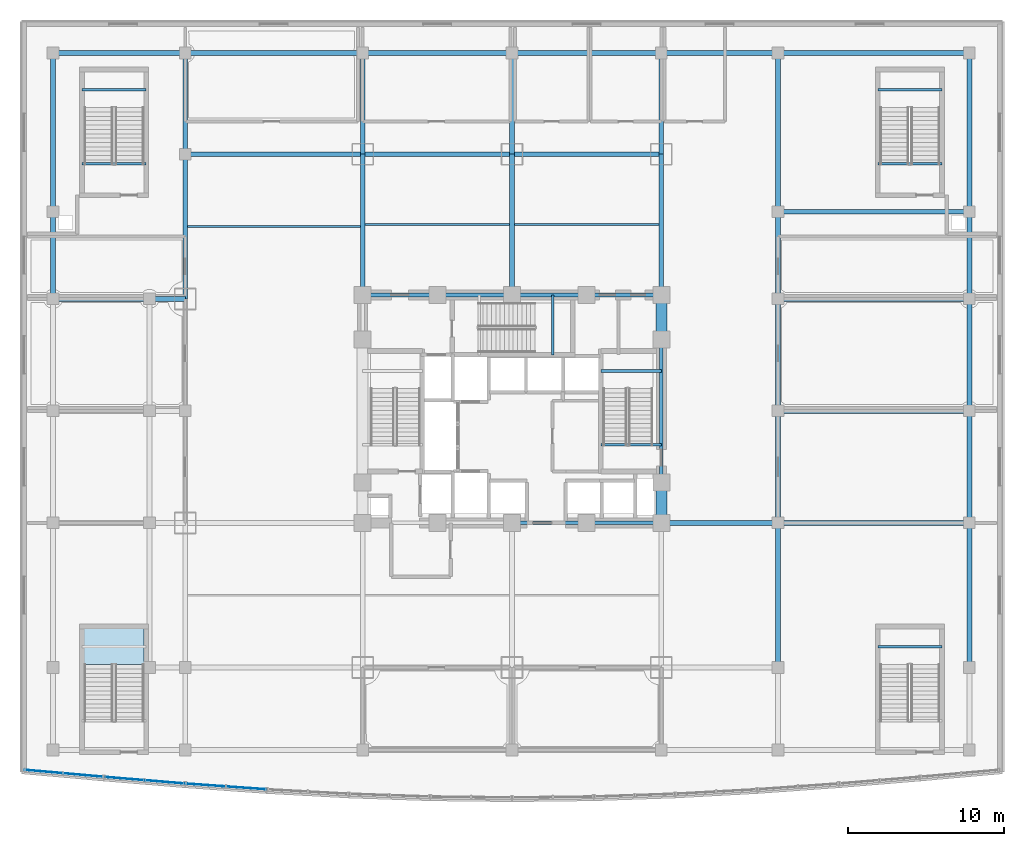
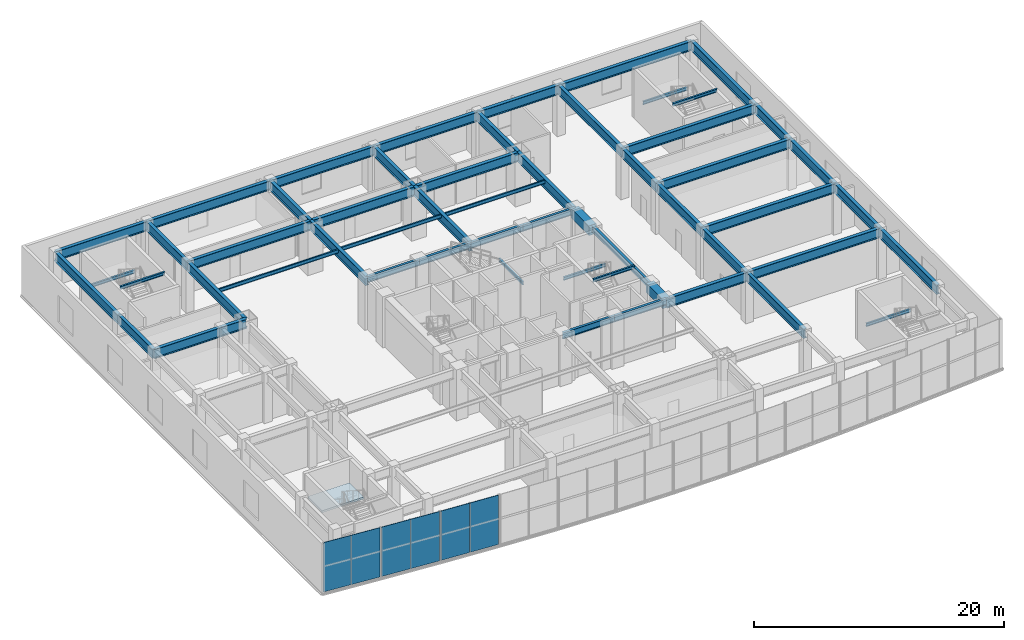
# One storey, part 10 of 24: 56 beams, 6 plates, 1 slab, 4 elements without a shape of their own.
"""IFC4 building model written with IfcOpenShell, lengths in metres."""

from ifc_helpers import new_model, si_unit, direction, frame, origin, origin_2d, place, context, subcontext, project, spatial, polyline, rectangle, i_section, outline, extrude, material, layer, layer_set, material_profile, profile_set, type_object, element, aggregate, save


model = new_model("IFC4")

# Units and contexts
model_context = context("Model", 3, precision=1e-05, world=origin(), true_north=direction((0.0, 1.0)))
body_context = subcontext(model_context, "Body", "Model", "MODEL_VIEW")
ifc_project = project(units=[si_unit("LENGTHUNIT", "METRE"), si_unit("AREAUNIT", "SQUARE_METRE"), si_unit("VOLUMEUNIT", "CUBIC_METRE"), si_unit("PLANEANGLEUNIT", "RADIAN"), si_unit("MASSUNIT", "GRAM", prefix="KILO")], contexts=[model_context])

# Site, building, storey
site_placement = place(None, origin())
site = spatial("IfcSite", under=ifc_project, at=site_placement, CompositionType="ELEMENT")
building_placement = place(site_placement, origin())
building = spatial("IfcBuilding", under=site, at=building_placement, Name="Vantalir Tower", CompositionType="ELEMENT")
storey_placement = place(building_placement, frame((0.0, 0.0, 11.0)))
storey = spatial("IfcBuildingStorey", under=building, at=storey_placement, Name="L02", CompositionType="ELEMENT", Elevation=11.0)

# Beams
ifc_material_1 = material(Name="Concrete C60/75", Category="concrete")
ifc_material_profile_1 = material_profile(ifc_material_1, rectangle(XDim=0.699951171875, YDim=0.949951171875, at=origin_2d()), Name="Concrete C60/75")
ifc_profile_set_1 = profile_set([ifc_material_profile_1], Name="Concrete C60/75")
beam_type_1 = type_object("IfcBeamType", Name="BM-CB-700x950", PredefinedType="USERDEFINED", material=ifc_profile_set_1)
beam_1_placement = place(storey_placement, frame((41.10009765625, 17.800048828125, 4.344970703125), z_axis=(0.0, 1.0, 0.0), x_axis=(-1.0, 0.0, 0.0)))
element("IfcBeam", 1, at=beam_1_placement, inside=storey, type_object=beam_type_1, Name="Level 02 Core Coupling Girder 05", ObjectType="GIRDER", PredefinedType="USERDEFINED", context=body_context, shape_type="SweptSolid", body=[
    extrude(rectangle(XDim=0.699951171875, YDim=0.949951171875, at=origin_2d()), origin(), (0.0, 0.0, 1.0), 2.599853515625),
])
beam_2_placement = place(storey_placement, frame((41.10009765625, 29.60009765625, 4.344970703125), z_axis=(0.0, 1.0, 0.0), x_axis=(-1.0, 0.0, 0.0)))
element("IfcBeam", 2, at=beam_2_placement, inside=storey, type_object=beam_type_1, Name="Level 02 Core Coupling Girder 07", ObjectType="GIRDER", PredefinedType="USERDEFINED", context=body_context, shape_type="SweptSolid", body=[
    extrude(rectangle(XDim=0.699951171875, YDim=0.949951171875, at=origin_2d()), origin(), (0.0, 0.0, 1.0), 2.849853515625),
])
ifc_material_2 = material(Name="Steel S355", Category="steel")
ifc_material_profile_2 = material_profile(ifc_material_2, i_section(OverallWidth=0.166015625, OverallDepth=0.306884765625, WebThickness=0.006591796875, FlangeThickness=0.01171875, at=origin_2d()), Name="Steel S355")
ifc_profile_set_2 = profile_set([ifc_material_profile_2], Name="Steel S355")
beam_type_2 = type_object("IfcBeamType", Name="BM-JS-305x165", PredefinedType="JOIST", material=ifc_profile_set_2)
for number, where, z_axis, x_axis, name in (
    (3, (37.2099609375, 22.8349609375, 4.845947265625), (1.0, 0.0, 0.0), (0.0, 1.0, 0.0), "L03 Stair ST2 Well Nosing Trimmer Beam"),
    (4, (37.2099609375, 27.56494140625, 2.14697265625), (1.0, 0.0, 0.0), (0.0, 1.0, 0.0), "Level 02 Stair ST2 Half-Landing Support Beam"),
):
    element("IfcBeam", number, at=place(storey_placement, frame(where, z_axis=z_axis, x_axis=x_axis)), inside=storey, type_object=beam_type_2, Name=name, PredefinedType="JOIST", context=body_context, shape_type="SweptSolid", body=[
        extrude(i_section(OverallWidth=0.166015625, OverallDepth=0.306884765625, WebThickness=0.006591796875, FlangeThickness=0.01171875, at=origin_2d()), origin(), (0.0, 0.0, 1.0), 3.89013671875),
    ])
beam_3_placement = place(storey_placement, frame((34.114990234375, 28.60009765625, 2.14697265625), z_axis=(0.0, 1.0, 0.0), x_axis=(-1.0, 0.0, 0.0)))
element("IfcBeam", 5, at=beam_3_placement, inside=storey, type_object=beam_type_2, Name="Level 02 Stair ST3 Half-Landing Support Beam", PredefinedType="JOIST", context=body_context, shape_type="SweptSolid", body=[
    extrude(i_section(OverallWidth=0.166015625, OverallDepth=0.306884765625, WebThickness=0.006591796875, FlangeThickness=0.01171875, at=origin_2d()), origin(), (0.0, 0.0, 1.0), 3.849853515625),
])
for number, where, z_axis, x_axis, name in (
    (6, (3.860107421875, 40.89501953125, 4.845947265625), (1.0, 0.0, 0.0), (0.0, 1.0, 0.0), "L03 Stair PST1 Well Nosing Trimmer Beam"),
    (7, (3.860107421875, 45.64501953125, 2.14697265625), (1.0, 0.0, 0.0), (0.0, 1.0, 0.0), "Level 02 Stair PST1 Half-Landing Support Beam"),
    (8, (55.010009765625, 40.89501953125, 4.845947265625), (1.0, 0.0, 0.0), (0.0, 1.0, 0.0), "L03 Stair PST2 Well Nosing Trimmer Beam"),
    (9, (55.010009765625, 45.64501953125, 2.14697265625), (1.0, 0.0, 0.0), (0.0, 1.0, 0.0), "Level 02 Stair PST2 Half-Landing Support Beam"),
    (10, (55.010009765625, 9.844970703125, 2.14697265625), (1.0, 0.0, 0.0), (0.0, 1.0, 0.0), "Level 02 Stair PST4 Half-Landing Support Beam"),
):
    element("IfcBeam", number, at=place(storey_placement, frame(where, z_axis=z_axis, x_axis=x_axis)), inside=storey, type_object=beam_type_2, Name=name, PredefinedType="JOIST", context=body_context, shape_type="SweptSolid", body=[
        extrude(i_section(OverallWidth=0.166015625, OverallDepth=0.306884765625, WebThickness=0.006591796875, FlangeThickness=0.01171875, at=origin_2d()), origin(), (0.0, 0.0, 1.0), 4.1298828125),
    ])
ifc_material_profile_3 = material_profile(ifc_material_2, i_section(OverallWidth=0.1259765625, OverallDepth=0.35302734375, WebThickness=0.006591796875, FlangeThickness=0.0107421875, at=origin_2d()), Name="Steel S355")
ifc_profile_set_3 = profile_set([ifc_material_profile_3], Name="Steel S355")
beam_type_3 = type_object("IfcBeamType", Name="BM-JS-356x127", PredefinedType="JOIST", material=ifc_profile_set_3)
beam_4_placement = place(storey_placement, frame((10.64501953125, 36.85009765625, 4.64404296875), z_axis=(1.0, 0.0, 0.0), x_axis=(0.0, 1.0, 0.0)))
element("IfcBeam", 11, at=beam_4_placement, inside=storey, type_object=beam_type_3, Name="Level 02 Secondary Composite Joist 02", PredefinedType="JOIST", context=body_context, shape_type="SweptSolid", body=[
    extrude(i_section(OverallWidth=0.1259765625, OverallDepth=0.35302734375, WebThickness=0.006591796875, FlangeThickness=0.0107421875, at=origin_2d()), origin(), (0.0, 0.0, 1.0), 11.10986328125),
])
for number, where, z_axis, x_axis, name in (
    (12, (22.044921875, 36.97509765625, 4.64404296875), (1.0, 0.0, 0.0), (0.0, 1.0, 0.0), "Level 02 Secondary Composite Joist 04"),
    (13, (31.64501953125, 36.97509765625, 4.64404296875), (1.0, 0.0, 0.0), (0.0, 1.0, 0.0), "Level 02 Secondary Composite Joist 06"),
):
    element("IfcBeam", number, at=place(storey_placement, frame(where, z_axis=z_axis, x_axis=x_axis)), inside=storey, type_object=beam_type_3, Name=name, PredefinedType="JOIST", context=body_context, shape_type="SweptSolid", body=[
        extrude(i_section(OverallWidth=0.1259765625, OverallDepth=0.35302734375, WebThickness=0.006591796875, FlangeThickness=0.0107421875, at=origin_2d()), origin(), (0.0, 0.0, 1.0), 9.31005859375),
    ])
ifc_material_profile_4 = material_profile(ifc_material_2, i_section(OverallWidth=0.30810546875, OverallDepth=0.927001953125, WebThickness=0.01953125, FlangeThickness=0.031982421875, at=origin_2d()), Name="Steel S355")
ifc_profile_set_4 = profile_set([ifc_material_profile_4], Name="Steel S355")
beam_type_4 = type_object("IfcBeamType", Name="BM-PG-914x305", PredefinedType="USERDEFINED", material=ifc_profile_set_4)
beam_5_placement = place(storey_placement, frame((41.10009765625, 17.800048828125, 4.35595703125), z_axis=(1.0, 0.0, 0.0), x_axis=(0.0, 1.0, 0.0)))
element("IfcBeam", 14, at=beam_5_placement, inside=storey, type_object=beam_type_4, Name="Level 02 Podium E-W Girder 19", ObjectType="GIRDER", PredefinedType="USERDEFINED", context=body_context, shape_type="SweptSolid", body=[
    extrude(i_section(OverallWidth=0.30810546875, OverallDepth=0.927001953125, WebThickness=0.01953125, FlangeThickness=0.031982421875, at=origin_2d()), origin(), (0.0, 0.0, 1.0), 7.5),
])
for number, where, z_axis, x_axis, name in (
    (15, (48.60009765625, 17.800048828125, 4.35595703125), (1.0, 0.0, 0.0), (0.0, 1.0, 0.0), "Level 02 Podium E-W Girder 20"),
    (16, (48.60009765625, 25.0, 4.35595703125), (1.0, 0.0, 0.0), (0.0, 1.0, 0.0), "Level 02 Podium E-W Girder 23"),
):
    element("IfcBeam", number, at=place(storey_placement, frame(where, z_axis=z_axis, x_axis=x_axis)), inside=storey, type_object=beam_type_4, Name=name, ObjectType="GIRDER", PredefinedType="USERDEFINED", context=body_context, shape_type="SweptSolid", body=[
        extrude(i_section(OverallWidth=0.30810546875, OverallDepth=0.927001953125, WebThickness=0.01953125, FlangeThickness=0.031982421875, at=origin_2d()), origin(), (0.0, 0.0, 1.0), 12.2998046875),
    ])
beam_6_placement = place(storey_placement, frame((2.0, 32.199951171875, 4.35595703125), z_axis=(1.0, 0.0, 0.0), x_axis=(0.0, 1.0, 0.0)))
element("IfcBeam", 17, at=beam_6_placement, inside=storey, type_object=beam_type_4, Name="Level 02 Podium E-W Girder 24", ObjectType="GIRDER", PredefinedType="USERDEFINED", context=body_context, shape_type="SweptSolid", body=[
    extrude(i_section(OverallWidth=0.30810546875, OverallDepth=0.927001953125, WebThickness=0.01953125, FlangeThickness=0.031982421875, at=origin_2d()), origin(), (0.0, 0.0, 1.0), 6.199951171875),
])
beam_7_placement = place(storey_placement, frame((8.199951171875, 32.199951171875, 4.35595703125), z_axis=(1.0, 0.0, 0.0), x_axis=(0.0, 1.0, 0.0)))
element("IfcBeam", 18, at=beam_7_placement, inside=storey, type_object=beam_type_4, Name="Level 02 Podium E-W Girder 25", ObjectType="GIRDER", PredefinedType="USERDEFINED", context=body_context, shape_type="SweptSolid", body=[
    extrude(i_section(OverallWidth=0.30810546875, OverallDepth=0.927001953125, WebThickness=0.01953125, FlangeThickness=0.031982421875, at=origin_2d()), origin(), (0.0, 0.0, 1.0), 2.300048828125),
])
for number, where, z_axis, x_axis, name in (
    (19, (48.60009765625, 32.199951171875, 4.35595703125), (1.0, 0.0, 0.0), (0.0, 1.0, 0.0), "Level 02 Podium E-W Girder 26"),
    (20, (48.60009765625, 37.800048828125, 4.35595703125), (1.0, 0.0, 0.0), (0.0, 1.0, 0.0), "Level 02 Podium E-W Girder 31"),
):
    element("IfcBeam", number, at=place(storey_placement, frame(where, z_axis=z_axis, x_axis=x_axis)), inside=storey, type_object=beam_type_4, Name=name, ObjectType="GIRDER", PredefinedType="USERDEFINED", context=body_context, shape_type="SweptSolid", body=[
        extrude(i_section(OverallWidth=0.30810546875, OverallDepth=0.927001953125, WebThickness=0.01953125, FlangeThickness=0.031982421875, at=origin_2d()), origin(), (0.0, 0.0, 1.0), 12.2998046875),
    ])
beam_8_placement = place(storey_placement, frame((10.5, 41.5, 4.35595703125), z_axis=(1.0, 0.0, 0.0), x_axis=(0.0, 1.0, 0.0)))
element("IfcBeam", 21, at=beam_8_placement, inside=storey, type_object=beam_type_4, Name="Level 02 Podium E-W Girder 32", ObjectType="GIRDER", PredefinedType="USERDEFINED", context=body_context, shape_type="SweptSolid", body=[
    extrude(i_section(OverallWidth=0.30810546875, OverallDepth=0.927001953125, WebThickness=0.01953125, FlangeThickness=0.031982421875, at=origin_2d()), origin(), (0.0, 0.0, 1.0), 11.39990234375),
])
for number, where, z_axis, x_axis, name in (
    (22, (21.89990234375, 41.5, 4.35595703125), (1.0, 0.0, 0.0), (0.0, 1.0, 0.0), "Level 02 Podium E-W Girder 33"),
    (23, (31.5, 41.5, 4.35595703125), (1.0, 0.0, 0.0), (0.0, 1.0, 0.0), "Level 02 Podium E-W Girder 34"),
):
    element("IfcBeam", number, at=place(storey_placement, frame(where, z_axis=z_axis, x_axis=x_axis)), inside=storey, type_object=beam_type_4, Name=name, ObjectType="GIRDER", PredefinedType="USERDEFINED", context=body_context, shape_type="SweptSolid", body=[
        extrude(i_section(OverallWidth=0.30810546875, OverallDepth=0.927001953125, WebThickness=0.01953125, FlangeThickness=0.031982421875, at=origin_2d()), origin(), (0.0, 0.0, 1.0), 9.60009765625),
    ])
beam_9_placement = place(storey_placement, frame((2.0, 48.0, 4.35595703125), z_axis=(1.0, 0.0, 0.0), x_axis=(0.0, 1.0, 0.0)))
element("IfcBeam", 24, at=beam_9_placement, inside=storey, type_object=beam_type_4, Name="Level 02 Podium E-W Girder 35", ObjectType="GIRDER", PredefinedType="USERDEFINED", context=body_context, shape_type="SweptSolid", body=[
    extrude(i_section(OverallWidth=0.30810546875, OverallDepth=0.927001953125, WebThickness=0.01953125, FlangeThickness=0.031982421875, at=origin_2d()), origin(), (0.0, 0.0, 1.0), 8.5),
])
beam_10_placement = place(storey_placement, frame((10.5, 48.0, 4.35595703125), z_axis=(1.0, 0.0, 0.0), x_axis=(0.0, 1.0, 0.0)))
element("IfcBeam", 25, at=beam_10_placement, inside=storey, type_object=beam_type_4, Name="Level 02 Podium E-W Girder 36", ObjectType="GIRDER", PredefinedType="USERDEFINED", context=body_context, shape_type="SweptSolid", body=[
    extrude(i_section(OverallWidth=0.30810546875, OverallDepth=0.927001953125, WebThickness=0.01953125, FlangeThickness=0.031982421875, at=origin_2d()), origin(), (0.0, 0.0, 1.0), 11.39990234375),
])
for number, where, z_axis, x_axis, name in (
    (26, (21.89990234375, 48.0, 4.35595703125), (1.0, 0.0, 0.0), (0.0, 1.0, 0.0), "Level 02 Podium E-W Girder 37"),
    (27, (31.5, 48.0, 4.35595703125), (1.0, 0.0, 0.0), (0.0, 1.0, 0.0), "Level 02 Podium E-W Girder 38"),
):
    element("IfcBeam", number, at=place(storey_placement, frame(where, z_axis=z_axis, x_axis=x_axis)), inside=storey, type_object=beam_type_4, Name=name, ObjectType="GIRDER", PredefinedType="USERDEFINED", context=body_context, shape_type="SweptSolid", body=[
        extrude(i_section(OverallWidth=0.30810546875, OverallDepth=0.927001953125, WebThickness=0.01953125, FlangeThickness=0.031982421875, at=origin_2d()), origin(), (0.0, 0.0, 1.0), 9.60009765625),
    ])
beam_11_placement = place(storey_placement, frame((41.10009765625, 48.0, 4.35595703125), z_axis=(1.0, 0.0, 0.0), x_axis=(0.0, 1.0, 0.0)))
element("IfcBeam", 28, at=beam_11_placement, inside=storey, type_object=beam_type_4, Name="Level 02 Podium E-W Girder 39", ObjectType="GIRDER", PredefinedType="USERDEFINED", context=body_context, shape_type="SweptSolid", body=[
    extrude(i_section(OverallWidth=0.30810546875, OverallDepth=0.927001953125, WebThickness=0.01953125, FlangeThickness=0.031982421875, at=origin_2d()), origin(), (0.0, 0.0, 1.0), 7.5),
])
beam_12_placement = place(storey_placement, frame((48.60009765625, 48.0, 4.35595703125), z_axis=(1.0, 0.0, 0.0), x_axis=(0.0, 1.0, 0.0)))
element("IfcBeam", 29, at=beam_12_placement, inside=storey, type_object=beam_type_4, Name="Level 02 Podium E-W Girder 40", ObjectType="GIRDER", PredefinedType="USERDEFINED", context=body_context, shape_type="SweptSolid", body=[
    extrude(i_section(OverallWidth=0.30810546875, OverallDepth=0.927001953125, WebThickness=0.01953125, FlangeThickness=0.031982421875, at=origin_2d()), origin(), (0.0, 0.0, 1.0), 12.2998046875),
])
beam_13_placement = place(storey_placement, frame((2.0, 32.199951171875, 4.35595703125), z_axis=(0.0, 1.0, 0.0), x_axis=(-1.0, 0.0, 0.0)))
element("IfcBeam", 30, at=beam_13_placement, inside=storey, type_object=beam_type_4, Name="Level 02 Podium N-S Girder 45", ObjectType="GIRDER", PredefinedType="USERDEFINED", context=body_context, shape_type="SweptSolid", body=[
    extrude(i_section(OverallWidth=0.30810546875, OverallDepth=0.927001953125, WebThickness=0.01953125, FlangeThickness=0.031982421875, at=origin_2d()), origin(), (0.0, 0.0, 1.0), 5.60009765625),
])
beam_14_placement = place(storey_placement, frame((2.0, 37.800048828125, 4.35595703125), z_axis=(0.0, 1.0, 0.0), x_axis=(-1.0, 0.0, 0.0)))
element("IfcBeam", 31, at=beam_14_placement, inside=storey, type_object=beam_type_4, Name="Level 02 Podium N-S Girder 46", ObjectType="GIRDER", PredefinedType="USERDEFINED", context=body_context, shape_type="SweptSolid", body=[
    extrude(i_section(OverallWidth=0.30810546875, OverallDepth=0.927001953125, WebThickness=0.01953125, FlangeThickness=0.031982421875, at=origin_2d()), origin(), (0.0, 0.0, 1.0), 10.199951171875),
])
beam_15_placement = place(storey_placement, frame((10.5, 32.199951171875, 4.35595703125), z_axis=(0.0, 1.0, 0.0), x_axis=(-1.0, 0.0, 0.0)))
element("IfcBeam", 32, at=beam_15_placement, inside=storey, type_object=beam_type_4, Name="Level 02 Podium N-S Girder 54", ObjectType="GIRDER", PredefinedType="USERDEFINED", context=body_context, shape_type="SweptSolid", body=[
    extrude(i_section(OverallWidth=0.30810546875, OverallDepth=0.927001953125, WebThickness=0.01953125, FlangeThickness=0.031982421875, at=origin_2d()), origin(), (0.0, 0.0, 1.0), 9.300048828125),
])
beam_16_placement = place(storey_placement, frame((10.5, 41.5, 4.35595703125), z_axis=(0.0, 1.0, 0.0), x_axis=(-1.0, 0.0, 0.0)))
element("IfcBeam", 33, at=beam_16_placement, inside=storey, type_object=beam_type_4, Name="Level 02 Podium N-S Girder 55", ObjectType="GIRDER", PredefinedType="USERDEFINED", context=body_context, shape_type="SweptSolid", body=[
    extrude(i_section(OverallWidth=0.30810546875, OverallDepth=0.927001953125, WebThickness=0.01953125, FlangeThickness=0.031982421875, at=origin_2d()), origin(), (0.0, 0.0, 1.0), 6.5),
])
beam_17_placement = place(storey_placement, frame((21.89990234375, 32.449951171875, 4.35595703125), z_axis=(0.0, 1.0, 0.0), x_axis=(-1.0, 0.0, 0.0)))
element("IfcBeam", 34, at=beam_17_placement, inside=storey, type_object=beam_type_4, Name="Level 02 Podium N-S Girder 61", ObjectType="GIRDER", PredefinedType="USERDEFINED", context=body_context, shape_type="SweptSolid", body=[
    extrude(i_section(OverallWidth=0.30810546875, OverallDepth=0.927001953125, WebThickness=0.01953125, FlangeThickness=0.031982421875, at=origin_2d()), origin(), (0.0, 0.0, 1.0), 9.050048828125),
])
beam_18_placement = place(storey_placement, frame((21.89990234375, 41.5, 4.35595703125), z_axis=(0.0, 1.0, 0.0), x_axis=(-1.0, 0.0, 0.0)))
element("IfcBeam", 35, at=beam_18_placement, inside=storey, type_object=beam_type_4, Name="Level 02 Podium N-S Girder 62", ObjectType="GIRDER", PredefinedType="USERDEFINED", context=body_context, shape_type="SweptSolid", body=[
    extrude(i_section(OverallWidth=0.30810546875, OverallDepth=0.927001953125, WebThickness=0.01953125, FlangeThickness=0.031982421875, at=origin_2d()), origin(), (0.0, 0.0, 1.0), 6.5),
])
beam_19_placement = place(storey_placement, frame((31.5, 32.449951171875, 4.35595703125), z_axis=(0.0, 1.0, 0.0), x_axis=(-1.0, 0.0, 0.0)))
element("IfcBeam", 36, at=beam_19_placement, inside=storey, type_object=beam_type_4, Name="Level 02 Podium N-S Girder 65", ObjectType="GIRDER", PredefinedType="USERDEFINED", context=body_context, shape_type="SweptSolid", body=[
    extrude(i_section(OverallWidth=0.30810546875, OverallDepth=0.927001953125, WebThickness=0.01953125, FlangeThickness=0.031982421875, at=origin_2d()), origin(), (0.0, 0.0, 1.0), 9.050048828125),
])
beam_20_placement = place(storey_placement, frame((31.5, 41.5, 4.35595703125), z_axis=(0.0, 1.0, 0.0), x_axis=(-1.0, 0.0, 0.0)))
element("IfcBeam", 37, at=beam_20_placement, inside=storey, type_object=beam_type_4, Name="Level 02 Podium N-S Girder 66", ObjectType="GIRDER", PredefinedType="USERDEFINED", context=body_context, shape_type="SweptSolid", body=[
    extrude(i_section(OverallWidth=0.30810546875, OverallDepth=0.927001953125, WebThickness=0.01953125, FlangeThickness=0.031982421875, at=origin_2d()), origin(), (0.0, 0.0, 1.0), 6.5),
])
beam_21_placement = place(storey_placement, frame((41.10009765625, 32.449951171875, 4.35595703125), z_axis=(0.0, 1.0, 0.0), x_axis=(-1.0, 0.0, 0.0)))
element("IfcBeam", 38, at=beam_21_placement, inside=storey, type_object=beam_type_4, Name="Level 02 Podium N-S Girder 72", ObjectType="GIRDER", PredefinedType="USERDEFINED", context=body_context, shape_type="SweptSolid", body=[
    extrude(i_section(OverallWidth=0.30810546875, OverallDepth=0.927001953125, WebThickness=0.01953125, FlangeThickness=0.031982421875, at=origin_2d()), origin(), (0.0, 0.0, 1.0), 9.050048828125),
])
beam_22_placement = place(storey_placement, frame((41.10009765625, 41.5, 4.35595703125), z_axis=(0.0, 1.0, 0.0), x_axis=(-1.0, 0.0, 0.0)))
element("IfcBeam", 39, at=beam_22_placement, inside=storey, type_object=beam_type_4, Name="Level 02 Podium N-S Girder 73", ObjectType="GIRDER", PredefinedType="USERDEFINED", context=body_context, shape_type="SweptSolid", body=[
    extrude(i_section(OverallWidth=0.30810546875, OverallDepth=0.927001953125, WebThickness=0.01953125, FlangeThickness=0.031982421875, at=origin_2d()), origin(), (0.0, 0.0, 1.0), 6.5),
])
beam_23_placement = place(storey_placement, frame((48.60009765625, 8.5, 4.35595703125), z_axis=(0.0, 1.0, 0.0), x_axis=(-1.0, 0.0, 0.0)))
element("IfcBeam", 40, at=beam_23_placement, inside=storey, type_object=beam_type_4, Name="Level 02 Podium N-S Girder 75", ObjectType="GIRDER", PredefinedType="USERDEFINED", context=body_context, shape_type="SweptSolid", body=[
    extrude(i_section(OverallWidth=0.30810546875, OverallDepth=0.927001953125, WebThickness=0.01953125, FlangeThickness=0.031982421875, at=origin_2d()), origin(), (0.0, 0.0, 1.0), 9.300048828125),
])
for number, where, z_axis, x_axis, name in (
    (41, (48.60009765625, 17.800048828125, 4.35595703125), (0.0, 1.0, 0.0), (-1.0, 0.0, 0.0), "Level 02 Podium N-S Girder 76"),
    (42, (48.60009765625, 25.0, 4.35595703125), (0.0, 1.0, 0.0), (-1.0, 0.0, 0.0), "Level 02 Podium N-S Girder 77"),
):
    element("IfcBeam", number, at=place(storey_placement, frame(where, z_axis=z_axis, x_axis=x_axis)), inside=storey, type_object=beam_type_4, Name=name, ObjectType="GIRDER", PredefinedType="USERDEFINED", context=body_context, shape_type="SweptSolid", body=[
        extrude(i_section(OverallWidth=0.30810546875, OverallDepth=0.927001953125, WebThickness=0.01953125, FlangeThickness=0.031982421875, at=origin_2d()), origin(), (0.0, 0.0, 1.0), 7.199951171875),
    ])
beam_24_placement = place(storey_placement, frame((48.60009765625, 32.199951171875, 4.35595703125), z_axis=(0.0, 1.0, 0.0), x_axis=(-1.0, 0.0, 0.0)))
element("IfcBeam", 43, at=beam_24_placement, inside=storey, type_object=beam_type_4, Name="Level 02 Podium N-S Girder 78", ObjectType="GIRDER", PredefinedType="USERDEFINED", context=body_context, shape_type="SweptSolid", body=[
    extrude(i_section(OverallWidth=0.30810546875, OverallDepth=0.927001953125, WebThickness=0.01953125, FlangeThickness=0.031982421875, at=origin_2d()), origin(), (0.0, 0.0, 1.0), 5.60009765625),
])
beam_25_placement = place(storey_placement, frame((48.60009765625, 37.800048828125, 4.35595703125), z_axis=(0.0, 1.0, 0.0), x_axis=(-1.0, 0.0, 0.0)))
element("IfcBeam", 44, at=beam_25_placement, inside=storey, type_object=beam_type_4, Name="Level 02 Podium N-S Girder 79", ObjectType="GIRDER", PredefinedType="USERDEFINED", context=body_context, shape_type="SweptSolid", body=[
    extrude(i_section(OverallWidth=0.30810546875, OverallDepth=0.927001953125, WebThickness=0.01953125, FlangeThickness=0.031982421875, at=origin_2d()), origin(), (0.0, 0.0, 1.0), 10.199951171875),
])
beam_26_placement = place(storey_placement, frame((60.89990234375, 8.5, 4.35595703125), z_axis=(0.0, 1.0, 0.0), x_axis=(-1.0, 0.0, 0.0)))
element("IfcBeam", 45, at=beam_26_placement, inside=storey, type_object=beam_type_4, Name="Level 02 Podium N-S Girder 81", ObjectType="GIRDER", PredefinedType="USERDEFINED", context=body_context, shape_type="SweptSolid", body=[
    extrude(i_section(OverallWidth=0.30810546875, OverallDepth=0.927001953125, WebThickness=0.01953125, FlangeThickness=0.031982421875, at=origin_2d()), origin(), (0.0, 0.0, 1.0), 9.300048828125),
])
for number, where, z_axis, x_axis, name in (
    (46, (60.89990234375, 17.800048828125, 4.35595703125), (0.0, 1.0, 0.0), (-1.0, 0.0, 0.0), "Level 02 Podium N-S Girder 82"),
    (47, (60.89990234375, 25.0, 4.35595703125), (0.0, 1.0, 0.0), (-1.0, 0.0, 0.0), "Level 02 Podium N-S Girder 83"),
):
    element("IfcBeam", number, at=place(storey_placement, frame(where, z_axis=z_axis, x_axis=x_axis)), inside=storey, type_object=beam_type_4, Name=name, ObjectType="GIRDER", PredefinedType="USERDEFINED", context=body_context, shape_type="SweptSolid", body=[
        extrude(i_section(OverallWidth=0.30810546875, OverallDepth=0.927001953125, WebThickness=0.01953125, FlangeThickness=0.031982421875, at=origin_2d()), origin(), (0.0, 0.0, 1.0), 7.199951171875),
    ])
beam_27_placement = place(storey_placement, frame((60.89990234375, 32.199951171875, 4.35595703125), z_axis=(0.0, 1.0, 0.0), x_axis=(-1.0, 0.0, 0.0)))
element("IfcBeam", 48, at=beam_27_placement, inside=storey, type_object=beam_type_4, Name="Level 02 Podium N-S Girder 84", ObjectType="GIRDER", PredefinedType="USERDEFINED", context=body_context, shape_type="SweptSolid", body=[
    extrude(i_section(OverallWidth=0.30810546875, OverallDepth=0.927001953125, WebThickness=0.01953125, FlangeThickness=0.031982421875, at=origin_2d()), origin(), (0.0, 0.0, 1.0), 5.60009765625),
])
beam_28_placement = place(storey_placement, frame((60.89990234375, 37.800048828125, 4.35595703125), z_axis=(0.0, 1.0, 0.0), x_axis=(-1.0, 0.0, 0.0)))
element("IfcBeam", 49, at=beam_28_placement, inside=storey, type_object=beam_type_4, Name="Level 02 Podium N-S Girder 85", ObjectType="GIRDER", PredefinedType="USERDEFINED", context=body_context, shape_type="SweptSolid", body=[
    extrude(i_section(OverallWidth=0.30810546875, OverallDepth=0.927001953125, WebThickness=0.01953125, FlangeThickness=0.031982421875, at=origin_2d()), origin(), (0.0, 0.0, 1.0), 10.199951171875),
])
ifc_material_profile_5 = material_profile(ifc_material_2, i_section(OverallWidth=0.22998046875, OverallDepth=0.616943359375, WebThickness=0.01318359375, FlangeThickness=0.022216796875, at=origin_2d()), Name="Steel S355")
ifc_profile_set_5 = profile_set([ifc_material_profile_5], Name="Steel S355")
beam_type_5 = type_object("IfcBeamType", Name="BM-RB-610x229", PredefinedType="BEAM", material=ifc_profile_set_5)
for number, where, z_axis, x_axis, name in (
    (50, (31.5, 17.800048828125, 4.511962890625), (1.0, 0.0, 0.0), (0.0, 1.0, 0.0), "Level 02 Core Coupling Girder 03"),
    (51, (36.300048828125, 17.800048828125, 4.511962890625), (1.0, 0.0, 0.0), (0.0, 1.0, 0.0), "Level 02 Core Coupling Girder 04"),
):
    element("IfcBeam", number, at=place(storey_placement, frame(where, z_axis=z_axis, x_axis=x_axis)), inside=storey, type_object=beam_type_5, Name=name, PredefinedType="BEAM", context=body_context, shape_type="SweptSolid", body=[
        extrude(i_section(OverallWidth=0.22998046875, OverallDepth=0.616943359375, WebThickness=0.01318359375, FlangeThickness=0.022216796875, at=origin_2d()), origin(), (0.0, 0.0, 1.0), 4.800048828125),
    ])
beam_29_placement = place(storey_placement, frame((41.10009765625, 20.39990234375, 4.511962890625), z_axis=(0.0, 1.0, 0.0), x_axis=(-1.0, 0.0, 0.0)))
element("IfcBeam", 52, at=beam_29_placement, inside=storey, type_object=beam_type_5, Name="Level 02 Core Coupling Girder 06", PredefinedType="BEAM", context=body_context, shape_type="SweptSolid", body=[
    extrude(i_section(OverallWidth=0.22998046875, OverallDepth=0.616943359375, WebThickness=0.01318359375, FlangeThickness=0.022216796875, at=origin_2d()), origin(), (0.0, 0.0, 1.0), 9.2001953125),
])
for number, where, z_axis, x_axis, name in (
    (53, (41.10009765625, 32.449951171875, 4.511962890625), (-1.0, 0.0, 0.0), (0.0, -1.0, 0.0), "Level 02 Core Coupling Girder 08"),
    (54, (36.300048828125, 32.449951171875, 4.511962890625), (-1.0, 0.0, 0.0), (0.0, -1.0, 0.0), "Level 02 Core Coupling Girder 09"),
    (55, (31.5, 32.449951171875, 4.511962890625), (-1.0, 0.0, 0.0), (0.0, -1.0, 0.0), "Level 02 Core Coupling Girder 10"),
    (56, (26.699951171875, 32.449951171875, 4.511962890625), (-1.0, 0.0, 0.0), (0.0, -1.0, 0.0), "Level 02 Core Coupling Girder 11"),
):
    element("IfcBeam", number, at=place(storey_placement, frame(where, z_axis=z_axis, x_axis=x_axis)), inside=storey, type_object=beam_type_5, Name=name, PredefinedType="BEAM", context=body_context, shape_type="SweptSolid", body=[
        extrude(i_section(OverallWidth=0.22998046875, OverallDepth=0.616943359375, WebThickness=0.01318359375, FlangeThickness=0.022216796875, at=origin_2d()), origin(), (0.0, 0.0, 1.0), 4.800048828125),
    ])

# Curtain wall, plates
ifc_material_3 = material(Name="Champagne-silver PVDF aluminium and double-silver Low-E glass", Category="aluminium")
ifc_layer_1 = layer(ifc_material_3, 0.239990234375)
ifc_layer_set_1 = layer_set([ifc_layer_1], Name="Champagne-silver PVDF aluminium and double-silver Low-E glass")
curtain_wall_type = type_object("IfcCurtainWallType", Name="CW-PODIUM-WF", PredefinedType="USERDEFINED", material=ifc_layer_set_1)
curtain_wall_1_placement = place(storey_placement, origin())
curtain_wall_1 = element("IfcCurtainWall", 57, at=curtain_wall_1_placement, inside=storey, type_object=curtain_wall_type, Name="Level 02 Waterfront Stick Curtain Wall 01", ObjectType="STICK CURTAIN WALL", PredefinedType="USERDEFINED")
ifc_material_4 = material(Name="Laminated waterfront podium glass IGU", Category="glass")
ifc_layer_2 = layer(ifc_material_4, 0.0400390625)
ifc_layer_set_2 = layer_set([ifc_layer_2], Name="Laminated waterfront podium glass IGU")
plate_type = type_object("IfcPlateType", Name="CWP-IGU-POD-40", PredefinedType="CURTAIN_PANEL", material=ifc_layer_set_2)
plate_1_placement = place(storey_placement, frame((1.402099609375, 1.81591796875, -0.008056640625), z_axis=(0.0, 0.0, 1.0), x_axis=(0.99608438842, -0.088407528781, 0.0)))
plate_1 = element("IfcPlate", 58, at=plate_1_placement, type_object=plate_type, Name="CW-L02-WF-01 Glazed Panel 1", PredefinedType="CURTAIN_PANEL", context=body_context, shape_type="SweptSolid", body=[
    extrude(rectangle(XDim=2.43505859375, YDim=0.0400390625, at=origin_2d()), origin(), (0.0, 0.0, 1.0), 4.8359375),
])
plate_2_placement = place(storey_placement, frame((3.9130859375, 1.593017578125, -0.008056640625), z_axis=(0.0, 0.0, 1.0), x_axis=(0.99608438842, -0.088407528781, 0.0)))
plate_2 = element("IfcPlate", 59, at=plate_2_placement, type_object=plate_type, Name="CW-L02-WF-01 Glazed Panel 2", PredefinedType="CURTAIN_PANEL", context=body_context, shape_type="SweptSolid", body=[
    extrude(rectangle(XDim=2.56494140625, YDim=0.0400390625, at=origin_2d()), origin(), (0.0, 0.0, 1.0), 4.8359375),
])
aggregate(curtain_wall_1, [plate_1, plate_2])

curtain_wall_2_placement = place(storey_placement, origin())
curtain_wall_2 = element("IfcCurtainWall", 60, at=curtain_wall_2_placement, inside=storey, type_object=curtain_wall_type, Name="Level 02 Waterfront Stick Curtain Wall 02", ObjectType="STICK CURTAIN WALL", PredefinedType="USERDEFINED")
plate_3_placement = place(storey_placement, frame((6.5869140625, 1.363037109375, -0.008056640625), z_axis=(0.0, 0.0, 1.0), x_axis=(0.996600101689, -0.082390759878, 0.0)))
plate_3 = element("IfcPlate", 61, at=plate_3_placement, type_object=plate_type, Name="CW-L02-WF-02 Glazed Panel 1", PredefinedType="CURTAIN_PANEL", context=body_context, shape_type="SweptSolid", body=[
    extrude(rectangle(XDim=2.56396484375, YDim=0.0400390625, at=origin_2d()), origin(), (0.0, 0.0, 1.0), 4.8359375),
])
plate_4_placement = place(storey_placement, frame((9.1630859375, 1.15087890625, -0.008056640625), z_axis=(0.0, 0.0, 1.0), x_axis=(0.996600101689, -0.082390759878, 0.0)))
plate_4 = element("IfcPlate", 62, at=plate_4_placement, type_object=plate_type, Name="CW-L02-WF-02 Glazed Panel 2", PredefinedType="CURTAIN_PANEL", context=body_context, shape_type="SweptSolid", body=[
    extrude(rectangle(XDim=2.56396484375, YDim=0.0400390625, at=origin_2d()), origin(), (0.0, 0.0, 1.0), 4.8359375),
])
aggregate(curtain_wall_2, [plate_3, plate_4])

curtain_wall_3_placement = place(storey_placement, origin())
curtain_wall_3 = element("IfcCurtainWall", 63, at=curtain_wall_3_placement, inside=storey, type_object=curtain_wall_type, Name="Level 02 Waterfront Stick Curtain Wall 03", ObjectType="STICK CURTAIN WALL", PredefinedType="USERDEFINED")
plate_5_placement = place(storey_placement, frame((11.8369140625, 0.945068359375, -0.008056640625), z_axis=(0.0, 0.0, 1.0), x_axis=(0.99748550921, -0.070870719734, 0.0)))
plate_5 = element("IfcPlate", 64, at=plate_5_placement, type_object=plate_type, Name="CW-L02-WF-03 Glazed Panel 1", PredefinedType="CURTAIN_PANEL", context=body_context, shape_type="SweptSolid", body=[
    extrude(rectangle(XDim=2.56201171875, YDim=0.0400390625, at=origin_2d()), origin(), (0.0, 0.0, 1.0), 4.8359375),
])
plate_6_placement = place(storey_placement, frame((14.4130859375, 0.761962890625, -0.008056640625), z_axis=(0.0, 0.0, 1.0), x_axis=(0.99748550921, -0.070870719734, 0.0)))
plate_6 = element("IfcPlate", 65, at=plate_6_placement, type_object=plate_type, Name="CW-L02-WF-03 Glazed Panel 2", PredefinedType="CURTAIN_PANEL", context=body_context, shape_type="SweptSolid", body=[
    extrude(rectangle(XDim=2.56201171875, YDim=0.0400390625, at=origin_2d()), origin(), (0.0, 0.0, 1.0), 4.8359375),
])
aggregate(curtain_wall_3, [plate_5, plate_6])

# Stair, slab
ifc_material_5 = material(Name="Concrete C40/50", Category="concrete")
stair_type = type_object("IfcStairType", Name="STR-POD-1550", PredefinedType="HALF_TURN_STAIR", material=ifc_material_5)
stair_placement = place(storey_placement, origin())
stair = element("IfcStair", 66, at=stair_placement, inside=storey, type_object=stair_type, Name="Level 02 Podium Exit Stair 3", PredefinedType="HALF_TURN_STAIR")
ifc_layer_3 = layer(ifc_material_5, 0.199951171875)
ifc_layer_set_3 = layer_set([ifc_layer_3], Name="Concrete C40/50")
slab_type = type_object("IfcSlabType", Name="SL-LAND-200", PredefinedType="LANDING", material=ifc_layer_set_3)
slab_placement = place(storey_placement, frame((0.0, 0.0, 2.300048828125)))
slab = element("IfcSlab", 67, at=slab_placement, type_object=slab_type, Name="PST3 landing 1", PredefinedType="LANDING", context=body_context, shape_type="SweptSolid", body=[
    extrude(outline(polyline([(7.85009765625, 8.68994140625), (7.85009765625, 11.0), (4.0, 11.0), (4.0, 8.68994140625), (7.85009765625, 8.68994140625)])), origin(), (0.0, 0.0, 1.0), 0.199951171875),
])
aggregate(stair, [slab])

save(model, "model.ifc")
